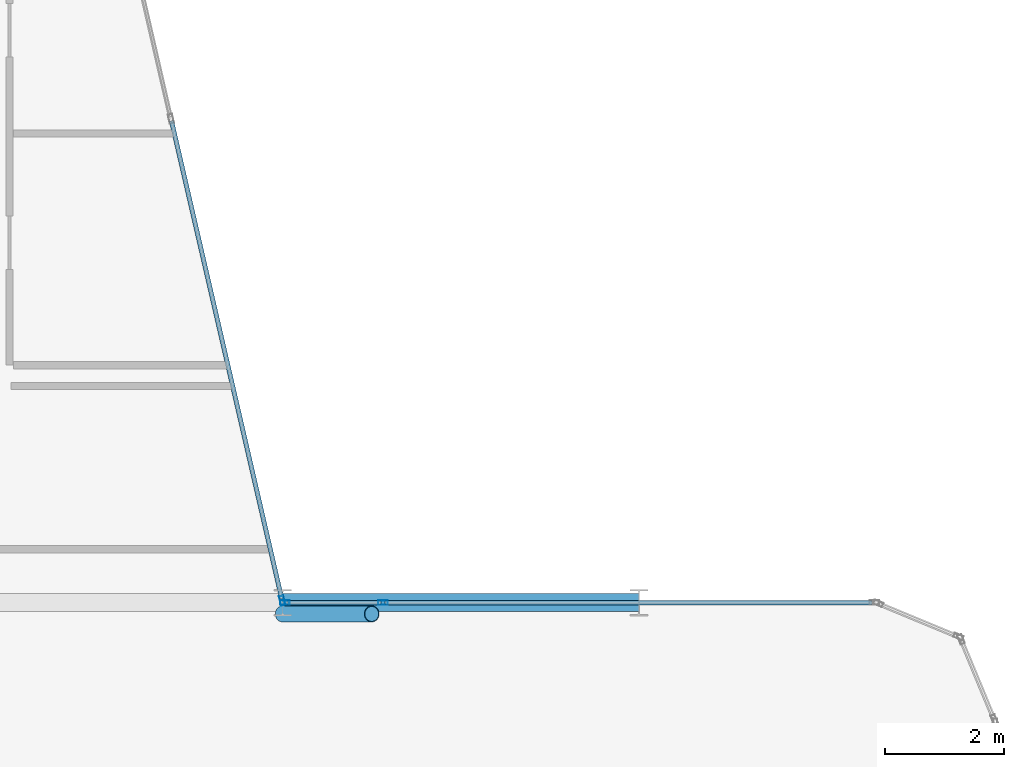
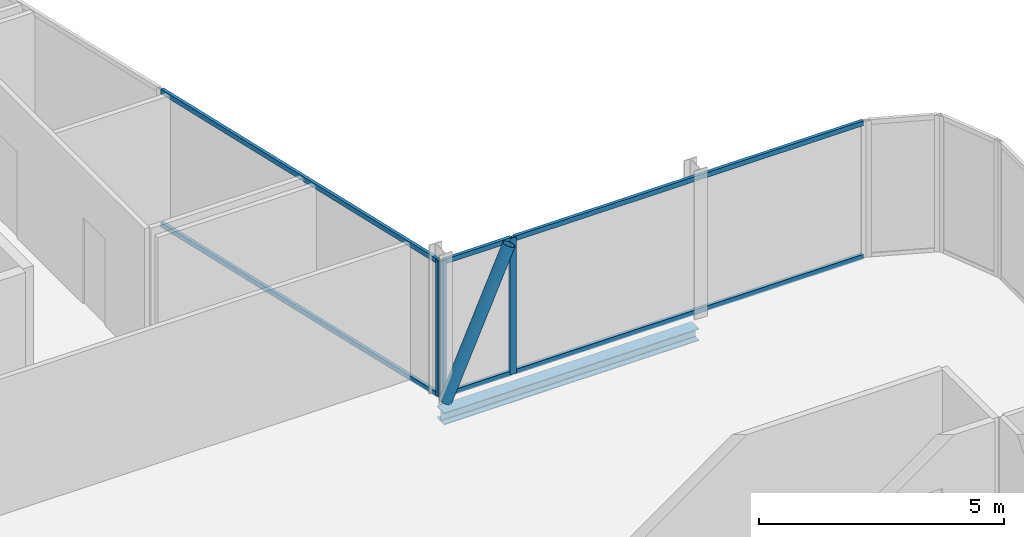
# One storey, part 14 of 29: 10 members, 1 beam, 3 elements without a shape of their own.
"""IFC4 building model written with IfcOpenShell, lengths in metres."""

import ifcopenshell
import ifcopenshell.guid

model = None  # the IFC model being written
_history = None  # IfcOwnerHistory: only IFC2X3 demands one
_inside = {}  # id of a spatial element -> (the spatial element, [elements in it])
_under = {}  # id of a project, library or spatial element -> (it, [spatial elements below it])
_declared = {}  # id of a project -> (the project, [libraries it declares])
_typed = {}  # id of a type object -> (the type object, [elements of that type])
_made_of = {}  # id of a material, layer set ... -> (it, [elements and type objects made of it])


def new_model(schema):
    """Start an empty IFC model of exactly this schema.

    Asked for "IFC4X3", IfcOpenShell would pick the latest addendum, in which some entities
    have other attributes; the version numbers below select the first issue.
    IFC2X3 requires an IfcOwnerHistory on every rooted entity: one is made here for all.
    """
    global model, _history
    if schema == "IFC4X3":
        model = ifcopenshell.file(schema_version=(4, 3, 0, 0))
    else:
        model = ifcopenshell.file(schema=schema)
    _inside.clear()
    _under.clear()
    _declared.clear()
    _typed.clear()
    _made_of.clear()
    _history = None
    if model.schema == "IFC2X3":
        org = make("IfcOrganization", Name="unknown")
        user = make(
            "IfcPersonAndOrganization",
            ThePerson=make("IfcPerson", FamilyName="unknown"),
            TheOrganization=org,
        )
        app = make(
            "IfcApplication",
            ApplicationDeveloper=org,
            Version="unknown",
            ApplicationFullName="unknown",
            ApplicationIdentifier="unknown",
        )
        _history = make(
            "IfcOwnerHistory",
            OwningUser=user,
            OwningApplication=app,
            ChangeAction="ADDED",
            CreationDate=0,
        )
    return model


def make(cls, **values):
    """One entity of the class cls with the attributes given. An attribute that is None is left unset."""
    return model.create_entity(
        cls, **{name: value for name, value in values.items() if value is not None}
    )


def rooted(cls, **values):
    """An entity with a GlobalId (a new one), such as an element, a storey or a relation."""
    return make(cls, GlobalId=ifcopenshell.guid.new(), OwnerHistory=_history, **values)


def si_unit(unit_type, name, prefix=None):
    """IfcSIUnit, for example si_unit("LENGTHUNIT", "METRE", prefix="MILLI")."""
    return make("IfcSIUnit", UnitType=unit_type, Prefix=prefix, Name=name)


def assignment(units):
    """IfcUnitAssignment: the units of a project."""
    return None if units is None else make("IfcUnitAssignment", Units=units)


def point(xyz):
    """IfcCartesianPoint."""
    return None if xyz is None else make("IfcCartesianPoint", Coordinates=xyz)


def direction(xyz):
    """IfcDirection."""
    return None if xyz is None else make("IfcDirection", DirectionRatios=xyz)


def frame(location, z_axis=None, x_axis=None):
    """IfcAxis2Placement3D, a coordinate frame: its origin and axes. An axis left out is left unset."""
    return make(
        "IfcAxis2Placement3D",
        Location=point(location),
        Axis=direction(z_axis),
        RefDirection=direction(x_axis),
    )


def frame_2d(location, x_axis=None):
    """IfcAxis2Placement2D, a coordinate frame in the plane: its origin and x axis."""
    return make(
        "IfcAxis2Placement2D", Location=point(location), RefDirection=direction(x_axis)
    )


def origin():
    """The frame at (0, 0, 0) with its axes left unset."""
    return frame((0.0, 0.0, 0.0))


def origin_2d():
    """The frame at (0, 0) in the plane with its x axis left unset."""
    return frame_2d((0.0, 0.0))


def place(relative_to, where):
    """IfcLocalPlacement: puts the frame where relative to a parent placement (None: the world)."""
    return make(
        "IfcLocalPlacement", PlacementRelTo=relative_to, RelativePlacement=where
    )


def context(
    kind, dimensions, precision=None, world=None, true_north=None, identifier=None
):
    """IfcGeometricRepresentationContext, for example the 3D "Model" context."""
    return make(
        "IfcGeometricRepresentationContext",
        ContextIdentifier=identifier,
        ContextType=kind,
        CoordinateSpaceDimension=dimensions,
        Precision=precision,
        WorldCoordinateSystem=world,
        TrueNorth=true_north,
    )


def subcontext(parent, identifier, kind, view, scale=None):
    """IfcGeometricRepresentationSubContext, for example "Body" below "Model"."""
    return make(
        "IfcGeometricRepresentationSubContext",
        ContextIdentifier=identifier,
        ContextType=kind,
        ParentContext=parent,
        TargetScale=scale,
        TargetView=view,
    )


def project(units=None, contexts=None):
    """IfcProject with its units and contexts."""
    return rooted(
        "IfcProject",
        Name="project",
        RepresentationContexts=contexts,
        UnitsInContext=assignment(units),
    )


def spatial(cls, under=None, at=None, **own):
    """A site, building, storey or space (cls), placed at a placement, below another one or the project."""
    s = rooted(cls, ObjectPlacement=at, **own)
    if under is not None:
        _under.setdefault(under.id(), (under, []))[1].append(s)
    return s


def profile(cls, at=None, kind="AREA", **sizes):
    """A parametric profile (cls). Its sizes go by their IFC names, for example OverallWidth=200.0."""
    return make(cls, ProfileType=kind, Position=at, **sizes)


def hollow_rectangle(**sizes):
    """IfcRectangleHollowProfileDef."""
    return profile("IfcRectangleHollowProfileDef", **sizes)


def hollow_circle(**sizes):
    """IfcCircleHollowProfileDef."""
    return profile("IfcCircleHollowProfileDef", **sizes)


def i_section(**sizes):
    """IfcIShapeProfileDef."""
    return profile("IfcIShapeProfileDef", **sizes)


def extrude(swept, where, along, depth):
    """IfcExtrudedAreaSolid: the profile swept, set in the frame where, extruded along a direction by depth."""
    return make(
        "IfcExtrudedAreaSolid",
        SweptArea=swept,
        Position=where,
        ExtrudedDirection=direction(along),
        Depth=depth,
    )


def shape(context_of_items, identifier, shape_type, items):
    """IfcShapeRepresentation: the items that make up one representation, for example the "Body"."""
    return make(
        "IfcShapeRepresentation",
        ContextOfItems=context_of_items,
        RepresentationIdentifier=identifier,
        RepresentationType=shape_type,
        Items=items,
    )


def material(Name=None, Category=None):
    """IfcMaterial."""
    return make("IfcMaterial", Name=Name, Category=Category)


def layer(
    of_material, thickness, ventilated=None, Name=None, Category=None, Priority=None
):
    """IfcMaterialLayer: one layer of a wall or slab, of a material (None: an air gap)."""
    return make(
        "IfcMaterialLayer",
        Material=of_material,
        LayerThickness=thickness,
        IsVentilated=ventilated,
        Name=Name,
        Category=Category,
        Priority=Priority,
    )


def layer_set(layers, Name=None):
    """IfcMaterialLayerSet."""
    return make("IfcMaterialLayerSet", MaterialLayers=layers, LayerSetName=Name)


def material_profile(
    of_material, cross_section, Name=None, Category=None, Priority=None
):
    """IfcMaterialProfile: a cross section and its material."""
    return make(
        "IfcMaterialProfile",
        Name=Name,
        Material=of_material,
        Profile=cross_section,
        Priority=Priority,
        Category=Category,
    )


def profile_set(profiles, Name=None, composite=None):
    """IfcMaterialProfileSet."""
    return make(
        "IfcMaterialProfileSet",
        Name=Name,
        MaterialProfiles=profiles,
        CompositeProfile=composite,
    )


def made_of(thing, what):
    """Note that an element or type object is made of a material, layer set ...; save() writes the relation."""
    if what is not None:
        _made_of.setdefault(what.id(), (what, []))[1].append(thing)
    return thing


def type_object(cls, material=None, **own):
    """A type object (cls), such as IfcWallType, which elements share."""
    return made_of(rooted(cls, **own), material)


def element(
    cls,
    number,
    at=None,
    inside=None,
    cuts=None,
    type_object=None,
    material=None,
    context=None,
    identifier="Body",
    shape_type=None,
    held_by="IfcProductDefinitionShape",
    body=None,
    shapes=None,
    **own,
):
    """One element of the class cls, such as IfcWall. Its Tag is "e" and its number.

    at: its placement. inside: the storey or other place that contains it. cuts: it is an
    opening in that element (IfcRelVoidsElement). A single representation is given by context,
    identifier, shape_type and body (its items); several are given by shapes. held_by: the class
    of the entity that holds the representations. save() writes the other relations.
    """
    e = rooted(cls, Tag="e%d" % number, ObjectPlacement=at, **own)
    if body is not None:
        shapes = [shape(context, identifier, shape_type, body)]
    if shapes is not None:
        e.Representation = make(held_by, Representations=shapes)
    if inside is not None:
        _inside.setdefault(inside.id(), (inside, []))[1].append(e)
    if cuts is not None:
        rooted(
            "IfcRelVoidsElement", RelatingBuildingElement=cuts, RelatedOpeningElement=e
        )
    if type_object is not None:
        _typed.setdefault(type_object.id(), (type_object, []))[1].append(e)
    return made_of(e, material)


def aggregate(whole, parts):
    """IfcRelAggregates: a whole, such as a stair, and the parts it consists of."""
    return rooted("IfcRelAggregates", RelatingObject=whole, RelatedObjects=parts)


def save(model, path):
    """Write the relations noted so far, then the file.

    IfcRelAggregates (storeys below a building ...), IfcRelContainedInSpatialStructure (elements
    in a storey), IfcRelDefinesByType, IfcRelAssociatesMaterial and IfcRelDeclares: one each for
    every whole, place, type object, material and project.
    """
    for whole, parts in _under.values():
        aggregate(whole, parts)
    for where, things in _inside.values():
        rooted(
            "IfcRelContainedInSpatialStructure",
            RelatedElements=things,
            RelatingStructure=where,
        )
    for kind, things in _typed.values():
        rooted("IfcRelDefinesByType", RelatedObjects=things, RelatingType=kind)
    for what, things in _made_of.values():
        rooted("IfcRelAssociatesMaterial", RelatedObjects=things, RelatingMaterial=what)
    for by, libraries in _declared.values():
        rooted("IfcRelDeclares", RelatingContext=by, RelatedDefinitions=libraries)
    model.write(path)


model = new_model("IFC4")

# Units and contexts
model_context = context("Model", 3, precision=1e-05, world=origin(), true_north=direction((0.0, 1.0)))
body_context = subcontext(model_context, "Body", "Model", "MODEL_VIEW")
ifc_project = project(units=[si_unit("LENGTHUNIT", "METRE"), si_unit("AREAUNIT", "SQUARE_METRE"), si_unit("VOLUMEUNIT", "CUBIC_METRE"), si_unit("PLANEANGLEUNIT", "RADIAN"), si_unit("MASSUNIT", "GRAM", prefix="KILO")], contexts=[model_context])

# Site, building, storey
site_placement = place(None, origin())
site = spatial("IfcSite", under=ifc_project, at=site_placement, CompositionType="ELEMENT")
building_placement = place(site_placement, origin())
building = spatial("IfcBuilding", under=site, at=building_placement, Name="Keshet Zoharim Tower", CompositionType="ELEMENT")
storey_placement = place(building_placement, frame((0.0, 0.0, 222.800048828125)))
storey = spatial("IfcBuildingStorey", under=building, at=storey_placement, Name="L55", CompositionType="ELEMENT", Elevation=222.800048828125)

# Beam
ifc_material_1 = material(Name="Steel S355", Category="steel")
ifc_material_profile_1 = material_profile(ifc_material_1, i_section(OverallWidth=0.300048828125, OverallDepth=0.300048828125, WebThickness=0.010986328125, FlangeThickness=0.01904296875, FilletRadius=0.027099609375, at=origin_2d()), Name="HEB300")
ifc_profile_set_1 = profile_set([ifc_material_profile_1], Name="Steel S355")
beam_type = type_object("IfcBeamType", Name="BM-PRI-HB300", PredefinedType="BEAM", material=ifc_profile_set_1)
beam_placement = place(storey_placement, frame((45.0, 27.89990234375, -0.4599609375), z_axis=(1.0, 0.0, 0.0), x_axis=(0.0, 1.0, 0.0)))
element("IfcBeam", 1, at=beam_placement, inside=storey, type_object=beam_type, Name="L55 Primary Girder X-016", PredefinedType="BEAM", context=body_context, shape_type="SweptSolid", body=[
    extrude(i_section(OverallWidth=0.300048828125, OverallDepth=0.300048828125, WebThickness=0.010986328125, FlangeThickness=0.01904296875, FilletRadius=0.027099609375, at=origin_2d()), origin(), (0.0, 0.0, 1.0), 6.0),
])

# Curtain wall, member
ifc_material_2 = material(Name="Aluminium 6063-T6", Category="aluminium")
ifc_layer = layer(ifc_material_2, 0.139892578125)
ifc_layer_set = layer_set([ifc_layer], Name="Aluminium 6063-T6")
curtain_wall_type = type_object("IfcCurtainWallType", Name="CW-SYS-05", PredefinedType="NOTDEFINED", material=ifc_layer_set)
curtain_wall_1_placement = place(storey_placement, origin())
curtain_wall_1 = element("IfcCurtainWall", 2, at=curtain_wall_1_placement, inside=storey, type_object=curtain_wall_type, Name="L55 Unitised Curtain Wall 19", PredefinedType="NOTDEFINED")
ifc_material_profile_2 = material_profile(ifc_material_2, hollow_rectangle(XDim=0.074951171875, YDim=0.159912109375, WallThickness=0.00390625, at=origin_2d()), Name="MUL-75x160")
ifc_profile_set_2 = profile_set([ifc_material_profile_2], Name="Aluminium 6063-T6")
member_type_1 = type_object("IfcMemberType", Name="CWM-M15", PredefinedType="MULLION", material=ifc_profile_set_2)
member_1_placement = place(storey_placement, frame((44.9921875, 27.93408203125, 0.0), z_axis=(0.0, 0.0, 1.0), x_axis=(0.974393882313, 0.224847864369, 0.0)))
member_1 = element("IfcMember", 3, at=member_1_placement, type_object=member_type_1, Name="CW-05 mullion 4", PredefinedType="MULLION", context=body_context, shape_type="SweptSolid", body=[
    extrude(hollow_rectangle(XDim=0.074951171875, YDim=0.159912109375, WallThickness=0.00390625, at=origin_2d()), origin(), (0.0, 0.0, 1.0), 3.389892578125),
])

# Curtain wall, members
curtain_wall_2_placement = place(storey_placement, origin())
curtain_wall_2 = element("IfcCurtainWall", 4, at=curtain_wall_2_placement, inside=storey, type_object=curtain_wall_type, Name="L55 Unitised Curtain Wall 20", PredefinedType="NOTDEFINED")
member_2_placement = place(storey_placement, frame((45.034912109375, 27.89990234375, 0.0), z_axis=(0.0, 0.0, 1.0), x_axis=(0.0, 1.0, 0.0)))
member_2 = element("IfcMember", 5, at=member_2_placement, type_object=member_type_1, Name="CW-05 mullion 1", PredefinedType="MULLION", context=body_context, shape_type="SweptSolid", body=[
    extrude(hollow_rectangle(XDim=0.074951171875, YDim=0.159912109375, WallThickness=0.00390625, at=origin_2d()), origin(), (0.0, 0.0, 1.0), 3.389892578125),
])
member_3_placement = place(storey_placement, frame((46.689697265625, 27.89990234375, 0.0), z_axis=(0.0, 0.0, 1.0), x_axis=(0.0, 1.0, 0.0)))
member_3 = element("IfcMember", 6, at=member_3_placement, type_object=member_type_1, Name="CW-05 mullion 2", PredefinedType="MULLION", context=body_context, shape_type="SweptSolid", body=[
    extrude(hollow_rectangle(XDim=0.074951171875, YDim=0.159912109375, WallThickness=0.00390625, at=origin_2d()), origin(), (0.0, 0.0, 1.0), 3.389892578125),
])

# Member
ifc_material_profile_3 = material_profile(ifc_material_2, hollow_rectangle(XDim=0.074951171875, YDim=0.1201171875, WallThickness=0.00390625, at=origin_2d()), Name="TRN-75x120")
ifc_profile_set_3 = profile_set([ifc_material_profile_3], Name="Aluminium 6063-T6")
member_type_2 = type_object("IfcMemberType", Name="CWT-T12", PredefinedType="USERDEFINED", material=ifc_profile_set_3)
member_4_placement = place(storey_placement, frame((43.127197265625, 36.015869140625, 0.034912109375), z_axis=(0.224863824467, -0.974390199277, 0.0), x_axis=(0.974390199277, 0.224863824467, 0.0)))
member_4 = element("IfcMember", 7, at=member_4_placement, type_object=member_type_2, Name="CW-05 transom 3.1", ObjectType="TRANSOM", PredefinedType="USERDEFINED", context=body_context, shape_type="SweptSolid", body=[
    extrude(hollow_rectangle(XDim=0.074951171875, YDim=0.1201171875, WallThickness=0.00390625, at=origin_2d()), origin(), (0.0, 0.0, 1.0), 8.259033203125),
])

member_5_placement = place(storey_placement, frame((43.127197265625, 36.015869140625, 3.35498046875), z_axis=(0.224863824467, -0.974390199277, 0.0), x_axis=(0.974390199277, 0.224863824467, 0.0)))
member_5 = element("IfcMember", 8, at=member_5_placement, type_object=member_type_2, Name="CW-05 transom 3.2", ObjectType="TRANSOM", PredefinedType="USERDEFINED", context=body_context, shape_type="SweptSolid", body=[
    extrude(hollow_rectangle(XDim=0.074951171875, YDim=0.1201171875, WallThickness=0.00390625, at=origin_2d()), origin(), (0.0, 0.0, 1.0), 8.259033203125),
])

aggregate(curtain_wall_1, [member_1, member_4, member_5])

member_6_placement = place(storey_placement, frame((45.070068359375, 27.89990234375, 0.034912109375), z_axis=(1.0, 0.0, 0.0), x_axis=(0.0, 1.0, 0.0)))
member_6 = element("IfcMember", 9, at=member_6_placement, type_object=member_type_2, Name="CW-05 transom 1.1", ObjectType="TRANSOM", PredefinedType="USERDEFINED", context=body_context, shape_type="SweptSolid", body=[
    extrude(hollow_rectangle(XDim=0.074951171875, YDim=0.1201171875, WallThickness=0.00390625, at=origin_2d()), origin(), (0.0, 0.0, 1.0), 1.584716796875),
])

member_7_placement = place(storey_placement, frame((45.070068359375, 27.89990234375, 3.35498046875), z_axis=(1.0, 0.0, 0.0), x_axis=(0.0, 1.0, 0.0)))
member_7 = element("IfcMember", 10, at=member_7_placement, type_object=member_type_2, Name="CW-05 transom 1.2", ObjectType="TRANSOM", PredefinedType="USERDEFINED", context=body_context, shape_type="SweptSolid", body=[
    extrude(hollow_rectangle(XDim=0.074951171875, YDim=0.1201171875, WallThickness=0.00390625, at=origin_2d()), origin(), (0.0, 0.0, 1.0), 1.584716796875),
])

aggregate(curtain_wall_2, [member_2, member_3, member_6, member_7])

# Curtain wall, members
curtain_wall_3_placement = place(storey_placement, origin())
curtain_wall_3 = element("IfcCurtainWall", 11, at=curtain_wall_3_placement, inside=storey, type_object=curtain_wall_type, Name="L55 Unitised Curtain Wall 20 Part 2", PredefinedType="NOTDEFINED")
member_8_placement = place(storey_placement, frame((46.724853515625, 27.89990234375, 0.034912109375), z_axis=(1.0, 0.0, 0.0), x_axis=(0.0, 1.0, 0.0)))
member_8 = element("IfcMember", 12, at=member_8_placement, type_object=member_type_2, Name="CW-05 transom 1.1", ObjectType="TRANSOM", PredefinedType="USERDEFINED", context=body_context, shape_type="SweptSolid", body=[
    extrude(hollow_rectangle(XDim=0.074951171875, YDim=0.1201171875, WallThickness=0.00390625, at=origin_2d()), origin(), (0.0, 0.0, 1.0), 8.205078125),
])
member_9_placement = place(storey_placement, frame((46.724853515625, 27.89990234375, 3.35498046875), z_axis=(1.0, 0.0, 0.0), x_axis=(0.0, 1.0, 0.0)))
member_9 = element("IfcMember", 13, at=member_9_placement, type_object=member_type_2, Name="CW-05 transom 1.2", ObjectType="TRANSOM", PredefinedType="USERDEFINED", context=body_context, shape_type="SweptSolid", body=[
    extrude(hollow_rectangle(XDim=0.074951171875, YDim=0.1201171875, WallThickness=0.00390625, at=origin_2d()), origin(), (0.0, 0.0, 1.0), 8.205078125),
])
aggregate(curtain_wall_3, [member_8, member_9])

# Member
ifc_material_profile_4 = material_profile(ifc_material_1, hollow_circle(Radius=0.136474609375, WallThickness=0.010009765625, at=origin_2d()), Name="CHS273x10")
ifc_profile_set_4 = profile_set([ifc_material_profile_4], Name="Steel S355")
member_type_3 = type_object("IfcMemberType", Name="MB-BR-C273", PredefinedType="BRACE", material=ifc_profile_set_4)
member_10_placement = place(storey_placement, frame((45.0, 27.7099609375, 0.0), z_axis=(0.40464689807, 0.0, 0.914473011019), x_axis=(0.0, 1.0, 0.0)))
element("IfcMember", 14, at=member_10_placement, inside=storey, type_object=member_type_3, Name="L55 Perimeter Tube Brace 04", PredefinedType="BRACE", context=body_context, shape_type="SweptSolid", body=[
    extrude(hollow_circle(Radius=0.136474609375, WallThickness=0.010009765625, at=origin_2d()), origin(), (0.0, 0.0, 1.0), 3.70703125),
])

save(model, "model.ifc")
